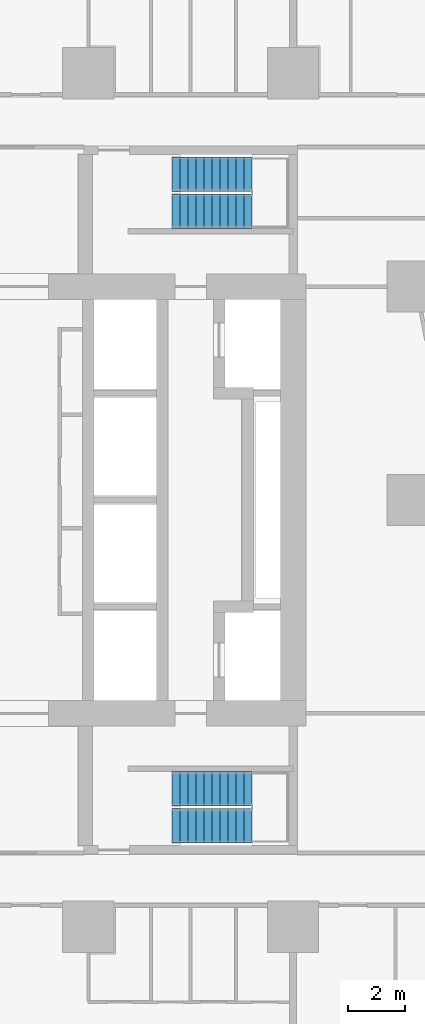
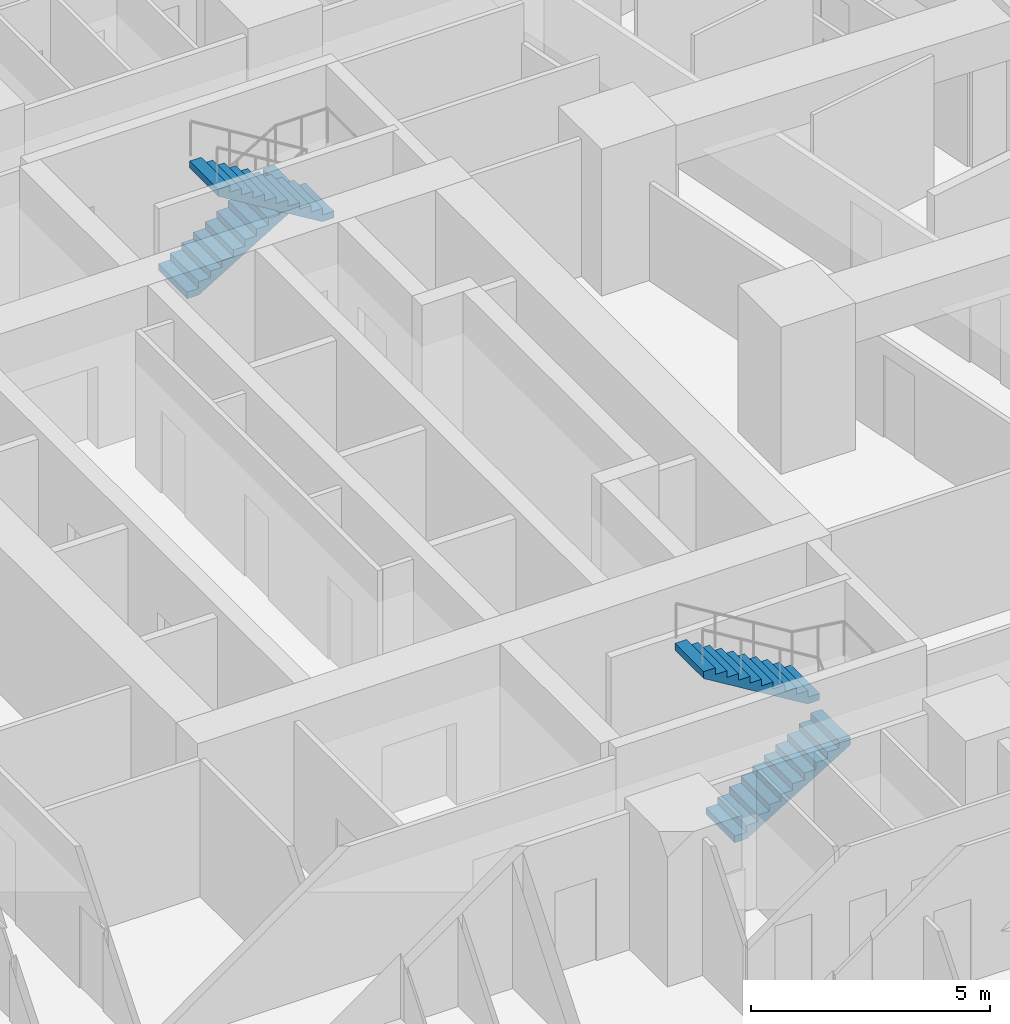
# One storey, part 13 of 16: 4 stair flights, 2 elements without a shape of their own.
"""IFC4 building model written with IfcOpenShell, lengths in metres."""

from ifc_helpers import new_model, si_unit, direction, frame, origin, place, context, subcontext, project, spatial, triangles, material, type_object, element, aggregate, save


model = new_model("IFC4")

# Units and contexts
model_context = context("Model", 3, precision=1e-05, world=origin(), true_north=direction((0.0, 1.0)))
body_context = subcontext(model_context, "Body", "Model", "MODEL_VIEW")
ifc_project = project(units=[si_unit("LENGTHUNIT", "METRE"), si_unit("AREAUNIT", "SQUARE_METRE"), si_unit("VOLUMEUNIT", "CUBIC_METRE"), si_unit("PLANEANGLEUNIT", "RADIAN"), si_unit("MASSUNIT", "GRAM", prefix="KILO")], contexts=[model_context])

# Site, building, storey
site_placement = place(None, origin())
site = spatial("IfcSite", under=ifc_project, at=site_placement, CompositionType="ELEMENT")
building_placement = place(site_placement, origin())
building = spatial("IfcBuilding", under=site, at=building_placement, Name="Sheger Commons Tower", CompositionType="ELEMENT")
storey_placement = place(building_placement, frame((0.0, 0.0, 57.5)))
storey = spatial("IfcBuildingStorey", under=building, at=storey_placement, Name="L14", CompositionType="ELEMENT", Elevation=57.5)

# Stair, stair flights
ifc_material_1 = material(Name="Concrete C35/45", Category="concrete")
stair_type = type_object("IfcStairType", Name="HALF-TURN STAIR 1200 RISE 3750", PredefinedType="HALF_TURN_STAIR", material=ifc_material_1)
stair_1_placement = place(storey_placement, origin())
stair_1 = element("IfcStair", 1, at=stair_1_placement, inside=storey, type_object=stair_type, Name="Stair S1 L14", PredefinedType="HALF_TURN_STAIR")
ifc_material_2 = material(Name="Concrete C35/45", Category="concrete")
stair_flight_type = type_object("IfcStairFlightType", Name="STAIR FLIGHT 1200 11 RISERS OF 170", PredefinedType="STRAIGHT", material=ifc_material_2)
stair_flight_1_placement = place(storey_placement, frame((24.550048828125, 11.050048828125, 0.0), z_axis=(0.0, 0.0, 1.0), x_axis=(1.0, 0.0, 0.0)))
stair_flight_1 = element("IfcStairFlight", 2, at=stair_flight_1_placement, type_object=stair_flight_type, Name="S1 flight 1", NumberOfRisers=11, NumberOfTreads=10, PredefinedType="STRAIGHT", RiserHeight=0.170454545, TreadLength=0.28, context=body_context, shape_type="Tessellation", body=[
    triangles([(0.0, 0.5999755859375, 0.0), (0.0, 0.5999755859375, 0.17041015625), (0.280029296875, 0.5999755859375, 0.17041015625), (0.280029296875, 0.5999755859375, 0.3408203125), (0.56005859375, 0.5999755859375, 0.3408203125), (0.56005859375, 0.5999755859375, 0.511474609375), (0.840087890625, 0.5999755859375, 0.511474609375), (0.840087890625, 0.5999755859375, 0.681884765625), (1.1201171875, 0.5999755859375, 0.681884765625), (1.1201171875, 0.5999755859375, 0.852294921875), (1.39990234375, 0.5999755859375, 0.852294921875), (1.39990234375, 0.5999755859375, 1.022705078125), (1.679931640625, 0.5999755859375, 1.022705078125), (1.679931640625, 0.5999755859375, 1.193115234375), (1.9599609375, 0.5999755859375, 1.193115234375), (1.9599609375, 0.5999755859375, 1.363525390625), (2.239990234375, 0.5999755859375, 1.363525390625), (2.239990234375, 0.5999755859375, 1.5341796875), (2.52001953125, 0.5999755859375, 1.5341796875), (2.52001953125, 0.5999755859375, 1.70458984375), (2.800048828125, 0.5999755859375, 1.70458984375), (2.800048828125, 0.5999755859375, 1.529052734375), (0.288330078125, 0.5999755859375, 0.0), (0.0, -0.5999755859375, 0.0), (0.0, -0.5999755859375, 0.17041015625), (0.280029296875, -0.5999755859375, 0.17041015625), (0.280029296875, -0.5999755859375, 0.3408203125), (0.56005859375, -0.5999755859375, 0.3408203125), (0.56005859375, -0.5999755859375, 0.511474609375), (0.840087890625, -0.5999755859375, 0.511474609375), (0.840087890625, -0.5999755859375, 0.681884765625), (1.1201171875, -0.5999755859375, 0.681884765625), (1.1201171875, -0.5999755859375, 0.852294921875), (1.39990234375, -0.5999755859375, 0.852294921875), (1.39990234375, -0.5999755859375, 1.022705078125), (1.679931640625, -0.5999755859375, 1.022705078125), (1.679931640625, -0.5999755859375, 1.193115234375), (1.9599609375, -0.5999755859375, 1.193115234375), (1.9599609375, -0.5999755859375, 1.363525390625), (2.239990234375, -0.5999755859375, 1.363525390625), (2.239990234375, -0.5999755859375, 1.5341796875), (2.52001953125, -0.5999755859375, 1.5341796875), (2.52001953125, -0.5999755859375, 1.70458984375), (2.800048828125, -0.5999755859375, 1.70458984375), (2.800048828125, -0.5999755859375, 1.529052734375), (0.288330078125, -0.5999755859375, 0.0), (0.0, 0.0, 0.085205078125), (0.1400146484375, 0.0, 0.17041015625), (0.280029296875, 0.0, 0.255615234375), (0.4200439453125, 0.0, 0.3408203125), (0.56005859375, 0.0, 0.4261474609375), (0.7000732421875, 0.0, 0.511474609375), (0.840087890625, 0.0, 0.5966796875), (0.9801025390625, 0.0, 0.681884765625), (1.1201171875, 0.0, 0.76708984375), (1.260009765625, 0.0, 0.852294921875), (1.39990234375, 0.0, 0.9375), (1.5399169921875, 0.0, 1.022705078125), (1.679931640625, 0.0, 1.10791015625), (1.8199462890625, 0.0, 1.193115234375), (1.9599609375, 0.0, 1.2783203125), (2.0999755859375, 0.0, 1.363525390625), (2.239990234375, 0.0, 1.4488525390625), (2.3800048828125, 0.0, 1.5341796875), (2.52001953125, 0.0, 1.619384765625), (2.6600341796875, 0.0, 1.70458984375), (2.800048828125, 0.0, 1.6168212890625), (1.544189453125, 0.0, 0.7645263671875), (0.1441650390625, 0.0, 0.0)], [[1, 22, 23], [24, 46, 45], [22, 20, 21], [45, 44, 43], [22, 19, 20], [45, 43, 42], [22, 18, 19], [45, 42, 41], [22, 17, 18], [45, 41, 40], [17, 15, 16], [40, 39, 38], [22, 15, 17], [45, 40, 38], [15, 13, 14], [38, 37, 36], [22, 13, 15], [45, 38, 36], [13, 11, 12], [36, 35, 34], [22, 11, 13], [45, 36, 34], [11, 9, 10], [34, 33, 32], [22, 9, 11], [45, 34, 32], [9, 7, 8], [32, 31, 30], [22, 7, 9], [45, 32, 30], [7, 5, 6], [30, 29, 28], [22, 5, 7], [45, 30, 28], [5, 3, 4], [28, 27, 26], [22, 3, 5], [45, 28, 26], [1, 3, 22], [24, 45, 26], [3, 1, 2], [26, 25, 24], [1, 47, 2], [2, 47, 25], [25, 47, 24], [24, 47, 1], [2, 48, 3], [3, 48, 26], [26, 48, 25], [25, 48, 2], [3, 49, 4], [4, 49, 27], [27, 49, 26], [26, 49, 3], [4, 50, 5], [5, 50, 28], [28, 50, 27], [27, 50, 4], [5, 51, 6], [6, 51, 29], [29, 51, 28], [28, 51, 5], [6, 52, 7], [7, 52, 30], [30, 52, 29], [29, 52, 6], [7, 53, 8], [8, 53, 31], [31, 53, 30], [30, 53, 7], [8, 54, 9], [9, 54, 32], [32, 54, 31], [31, 54, 8], [9, 55, 10], [10, 55, 33], [33, 55, 32], [32, 55, 9], [10, 56, 11], [11, 56, 34], [34, 56, 33], [33, 56, 10], [11, 57, 12], [12, 57, 35], [35, 57, 34], [34, 57, 11], [12, 58, 13], [13, 58, 36], [36, 58, 35], [35, 58, 12], [13, 59, 14], [14, 59, 37], [37, 59, 36], [36, 59, 13], [14, 60, 15], [15, 60, 38], [38, 60, 37], [37, 60, 14], [15, 61, 16], [16, 61, 39], [39, 61, 38], [38, 61, 15], [16, 62, 17], [17, 62, 40], [40, 62, 39], [39, 62, 16], [17, 63, 18], [18, 63, 41], [41, 63, 40], [40, 63, 17], [18, 64, 19], [19, 64, 42], [42, 64, 41], [41, 64, 18], [19, 65, 20], [20, 65, 43], [43, 65, 42], [42, 65, 19], [20, 66, 21], [21, 66, 44], [44, 66, 43], [43, 66, 20], [21, 67, 22], [22, 67, 45], [45, 67, 44], [44, 67, 21], [22, 68, 23], [23, 68, 46], [46, 68, 45], [45, 68, 22], [23, 69, 1], [1, 69, 24], [24, 69, 46], [46, 69, 23]], closed=True),
])
stair_flight_2_placement = place(storey_placement, frame((27.35009765625, 12.35009765625, 1.875), z_axis=(0.0, 0.0, 1.0), x_axis=(-1.0, 0.0, 0.0)))
stair_flight_2 = element("IfcStairFlight", 3, at=stair_flight_2_placement, type_object=stair_flight_type, Name="S1 flight 2", NumberOfRisers=11, NumberOfTreads=10, PredefinedType="STRAIGHT", RiserHeight=0.170454545, TreadLength=0.28, context=body_context, shape_type="Tessellation", body=[
    triangles([(0.0, 0.5999755859375, 0.0), (0.0, 0.5999755859375, 0.17041015625), (0.280029296875, 0.5999755859375, 0.17041015625), (0.280029296875, 0.5999755859375, 0.3408203125), (0.56005859375, 0.5999755859375, 0.3408203125), (0.56005859375, 0.5999755859375, 0.511474609375), (0.840087890625, 0.5999755859375, 0.511474609375), (0.840087890625, 0.5999755859375, 0.681884765625), (1.1201171875, 0.5999755859375, 0.681884765625), (1.1201171875, 0.5999755859375, 0.852294921875), (1.39990234375, 0.5999755859375, 0.852294921875), (1.39990234375, 0.5999755859375, 1.022705078125), (1.679931640625, 0.5999755859375, 1.022705078125), (1.679931640625, 0.5999755859375, 1.193115234375), (1.9599609375, 0.5999755859375, 1.193115234375), (1.9599609375, 0.5999755859375, 1.363525390625), (2.239990234375, 0.5999755859375, 1.363525390625), (2.239990234375, 0.5999755859375, 1.5341796875), (2.52001953125, 0.5999755859375, 1.5341796875), (2.52001953125, 0.5999755859375, 1.70458984375), (2.800048828125, 0.5999755859375, 1.70458984375), (2.800048828125, 0.5999755859375, 1.529052734375), (0.288330078125, 0.5999755859375, 0.0), (0.0, -0.5999755859375, 0.0), (0.0, -0.5999755859375, 0.17041015625), (0.280029296875, -0.5999755859375, 0.17041015625), (0.280029296875, -0.5999755859375, 0.3408203125), (0.56005859375, -0.5999755859375, 0.3408203125), (0.56005859375, -0.5999755859375, 0.511474609375), (0.840087890625, -0.5999755859375, 0.511474609375), (0.840087890625, -0.5999755859375, 0.681884765625), (1.1201171875, -0.5999755859375, 0.681884765625), (1.1201171875, -0.5999755859375, 0.852294921875), (1.39990234375, -0.5999755859375, 0.852294921875), (1.39990234375, -0.5999755859375, 1.022705078125), (1.679931640625, -0.5999755859375, 1.022705078125), (1.679931640625, -0.5999755859375, 1.193115234375), (1.9599609375, -0.5999755859375, 1.193115234375), (1.9599609375, -0.5999755859375, 1.363525390625), (2.239990234375, -0.5999755859375, 1.363525390625), (2.239990234375, -0.5999755859375, 1.5341796875), (2.52001953125, -0.5999755859375, 1.5341796875), (2.52001953125, -0.5999755859375, 1.70458984375), (2.800048828125, -0.5999755859375, 1.70458984375), (2.800048828125, -0.5999755859375, 1.529052734375), (0.288330078125, -0.5999755859375, 0.0), (0.0, 0.0, 0.085205078125), (0.1400146484375, 0.0, 0.17041015625), (0.280029296875, 0.0, 0.255615234375), (0.4200439453125, 0.0, 0.3408203125), (0.56005859375, 0.0, 0.4261474609375), (0.7000732421875, 0.0, 0.511474609375), (0.840087890625, 0.0, 0.5966796875), (0.9801025390625, 0.0, 0.681884765625), (1.1201171875, 0.0, 0.76708984375), (1.260009765625, 0.0, 0.852294921875), (1.39990234375, 0.0, 0.9375), (1.5399169921875, 0.0, 1.022705078125), (1.679931640625, 0.0, 1.10791015625), (1.8199462890625, 0.0, 1.193115234375), (1.9599609375, 0.0, 1.2783203125), (2.0999755859375, 0.0, 1.363525390625), (2.239990234375, 0.0, 1.4488525390625), (2.3800048828125, 0.0, 1.5341796875), (2.52001953125, 0.0, 1.619384765625), (2.6600341796875, 0.0, 1.70458984375), (2.800048828125, 0.0, 1.6168212890625), (1.544189453125, 0.0, 0.7645263671875), (0.1441650390625, 0.0, 0.0)], [[1, 22, 23], [24, 46, 45], [22, 20, 21], [45, 44, 43], [22, 19, 20], [45, 43, 42], [22, 18, 19], [45, 42, 41], [22, 17, 18], [45, 41, 40], [17, 15, 16], [40, 39, 38], [22, 15, 17], [45, 40, 38], [15, 13, 14], [38, 37, 36], [22, 13, 15], [45, 38, 36], [13, 11, 12], [36, 35, 34], [22, 11, 13], [45, 36, 34], [11, 9, 10], [34, 33, 32], [22, 9, 11], [45, 34, 32], [9, 7, 8], [32, 31, 30], [22, 7, 9], [45, 32, 30], [7, 5, 6], [30, 29, 28], [22, 5, 7], [45, 30, 28], [5, 3, 4], [28, 27, 26], [22, 3, 5], [45, 28, 26], [1, 3, 22], [24, 45, 26], [3, 1, 2], [26, 25, 24], [1, 47, 2], [2, 47, 25], [25, 47, 24], [24, 47, 1], [2, 48, 3], [3, 48, 26], [26, 48, 25], [25, 48, 2], [3, 49, 4], [4, 49, 27], [27, 49, 26], [26, 49, 3], [4, 50, 5], [5, 50, 28], [28, 50, 27], [27, 50, 4], [5, 51, 6], [6, 51, 29], [29, 51, 28], [28, 51, 5], [6, 52, 7], [7, 52, 30], [30, 52, 29], [29, 52, 6], [7, 53, 8], [8, 53, 31], [31, 53, 30], [30, 53, 7], [8, 54, 9], [9, 54, 32], [32, 54, 31], [31, 54, 8], [9, 55, 10], [10, 55, 33], [33, 55, 32], [32, 55, 9], [10, 56, 11], [11, 56, 34], [34, 56, 33], [33, 56, 10], [11, 57, 12], [12, 57, 35], [35, 57, 34], [34, 57, 11], [12, 58, 13], [13, 58, 36], [36, 58, 35], [35, 58, 12], [13, 59, 14], [14, 59, 37], [37, 59, 36], [36, 59, 13], [14, 60, 15], [15, 60, 38], [38, 60, 37], [37, 60, 14], [15, 61, 16], [16, 61, 39], [39, 61, 38], [38, 61, 15], [16, 62, 17], [17, 62, 40], [40, 62, 39], [39, 62, 16], [17, 63, 18], [18, 63, 41], [41, 63, 40], [40, 63, 17], [18, 64, 19], [19, 64, 42], [42, 64, 41], [41, 64, 18], [19, 65, 20], [20, 65, 43], [43, 65, 42], [42, 65, 19], [20, 66, 21], [21, 66, 44], [44, 66, 43], [43, 66, 20], [21, 67, 22], [22, 67, 45], [45, 67, 44], [44, 67, 21], [22, 68, 23], [23, 68, 46], [46, 68, 45], [45, 68, 22], [23, 69, 1], [1, 69, 24], [24, 69, 46], [46, 69, 23]], closed=True),
])
aggregate(stair_1, [stair_flight_1, stair_flight_2])

stair_2_placement = place(storey_placement, origin())
stair_2 = element("IfcStair", 4, at=stair_2_placement, inside=storey, type_object=stair_type, Name="Stair S2 L14", PredefinedType="HALF_TURN_STAIR")
stair_flight_3_placement = place(storey_placement, frame((24.550048828125, 33.949951171875, 0.0), z_axis=(0.0, 0.0, 1.0), x_axis=(1.0, 0.0, 0.0)))
stair_flight_3 = element("IfcStairFlight", 5, at=stair_flight_3_placement, type_object=stair_flight_type, Name="S2 flight 1", NumberOfRisers=11, NumberOfTreads=10, PredefinedType="STRAIGHT", RiserHeight=0.170454545, TreadLength=0.28, context=body_context, shape_type="Tessellation", body=[
    triangles([(0.0, 0.5999755859375, 0.0), (0.0, 0.5999755859375, 0.17041015625), (0.280029296875, 0.5999755859375, 0.17041015625), (0.280029296875, 0.5999755859375, 0.3408203125), (0.56005859375, 0.5999755859375, 0.3408203125), (0.56005859375, 0.5999755859375, 0.511474609375), (0.840087890625, 0.5999755859375, 0.511474609375), (0.840087890625, 0.5999755859375, 0.681884765625), (1.1201171875, 0.5999755859375, 0.681884765625), (1.1201171875, 0.5999755859375, 0.852294921875), (1.39990234375, 0.5999755859375, 0.852294921875), (1.39990234375, 0.5999755859375, 1.022705078125), (1.679931640625, 0.5999755859375, 1.022705078125), (1.679931640625, 0.5999755859375, 1.193115234375), (1.9599609375, 0.5999755859375, 1.193115234375), (1.9599609375, 0.5999755859375, 1.363525390625), (2.239990234375, 0.5999755859375, 1.363525390625), (2.239990234375, 0.5999755859375, 1.5341796875), (2.52001953125, 0.5999755859375, 1.5341796875), (2.52001953125, 0.5999755859375, 1.70458984375), (2.800048828125, 0.5999755859375, 1.70458984375), (2.800048828125, 0.5999755859375, 1.529052734375), (0.288330078125, 0.5999755859375, 0.0), (0.0, -0.5999755859375, 0.0), (0.0, -0.5999755859375, 0.17041015625), (0.280029296875, -0.5999755859375, 0.17041015625), (0.280029296875, -0.5999755859375, 0.3408203125), (0.56005859375, -0.5999755859375, 0.3408203125), (0.56005859375, -0.5999755859375, 0.511474609375), (0.840087890625, -0.5999755859375, 0.511474609375), (0.840087890625, -0.5999755859375, 0.681884765625), (1.1201171875, -0.5999755859375, 0.681884765625), (1.1201171875, -0.5999755859375, 0.852294921875), (1.39990234375, -0.5999755859375, 0.852294921875), (1.39990234375, -0.5999755859375, 1.022705078125), (1.679931640625, -0.5999755859375, 1.022705078125), (1.679931640625, -0.5999755859375, 1.193115234375), (1.9599609375, -0.5999755859375, 1.193115234375), (1.9599609375, -0.5999755859375, 1.363525390625), (2.239990234375, -0.5999755859375, 1.363525390625), (2.239990234375, -0.5999755859375, 1.5341796875), (2.52001953125, -0.5999755859375, 1.5341796875), (2.52001953125, -0.5999755859375, 1.70458984375), (2.800048828125, -0.5999755859375, 1.70458984375), (2.800048828125, -0.5999755859375, 1.529052734375), (0.288330078125, -0.5999755859375, 0.0), (0.0, 0.0, 0.085205078125), (0.1400146484375, 0.0, 0.17041015625), (0.280029296875, 0.0, 0.255615234375), (0.4200439453125, 0.0, 0.3408203125), (0.56005859375, 0.0, 0.4261474609375), (0.7000732421875, 0.0, 0.511474609375), (0.840087890625, 0.0, 0.5966796875), (0.9801025390625, 0.0, 0.681884765625), (1.1201171875, 0.0, 0.76708984375), (1.260009765625, 0.0, 0.852294921875), (1.39990234375, 0.0, 0.9375), (1.5399169921875, 0.0, 1.022705078125), (1.679931640625, 0.0, 1.10791015625), (1.8199462890625, 0.0, 1.193115234375), (1.9599609375, 0.0, 1.2783203125), (2.0999755859375, 0.0, 1.363525390625), (2.239990234375, 0.0, 1.4488525390625), (2.3800048828125, 0.0, 1.5341796875), (2.52001953125, 0.0, 1.619384765625), (2.6600341796875, 0.0, 1.70458984375), (2.800048828125, 0.0, 1.6168212890625), (1.544189453125, 0.0, 0.7645263671875), (0.1441650390625, 0.0, 0.0)], [[1, 22, 23], [24, 46, 45], [22, 20, 21], [45, 44, 43], [22, 19, 20], [45, 43, 42], [22, 18, 19], [45, 42, 41], [22, 17, 18], [45, 41, 40], [17, 15, 16], [40, 39, 38], [22, 15, 17], [45, 40, 38], [15, 13, 14], [38, 37, 36], [22, 13, 15], [45, 38, 36], [13, 11, 12], [36, 35, 34], [22, 11, 13], [45, 36, 34], [11, 9, 10], [34, 33, 32], [22, 9, 11], [45, 34, 32], [9, 7, 8], [32, 31, 30], [22, 7, 9], [45, 32, 30], [7, 5, 6], [30, 29, 28], [22, 5, 7], [45, 30, 28], [5, 3, 4], [28, 27, 26], [22, 3, 5], [45, 28, 26], [1, 3, 22], [24, 45, 26], [3, 1, 2], [26, 25, 24], [1, 47, 2], [2, 47, 25], [25, 47, 24], [24, 47, 1], [2, 48, 3], [3, 48, 26], [26, 48, 25], [25, 48, 2], [3, 49, 4], [4, 49, 27], [27, 49, 26], [26, 49, 3], [4, 50, 5], [5, 50, 28], [28, 50, 27], [27, 50, 4], [5, 51, 6], [6, 51, 29], [29, 51, 28], [28, 51, 5], [6, 52, 7], [7, 52, 30], [30, 52, 29], [29, 52, 6], [7, 53, 8], [8, 53, 31], [31, 53, 30], [30, 53, 7], [8, 54, 9], [9, 54, 32], [32, 54, 31], [31, 54, 8], [9, 55, 10], [10, 55, 33], [33, 55, 32], [32, 55, 9], [10, 56, 11], [11, 56, 34], [34, 56, 33], [33, 56, 10], [11, 57, 12], [12, 57, 35], [35, 57, 34], [34, 57, 11], [12, 58, 13], [13, 58, 36], [36, 58, 35], [35, 58, 12], [13, 59, 14], [14, 59, 37], [37, 59, 36], [36, 59, 13], [14, 60, 15], [15, 60, 38], [38, 60, 37], [37, 60, 14], [15, 61, 16], [16, 61, 39], [39, 61, 38], [38, 61, 15], [16, 62, 17], [17, 62, 40], [40, 62, 39], [39, 62, 16], [17, 63, 18], [18, 63, 41], [41, 63, 40], [40, 63, 17], [18, 64, 19], [19, 64, 42], [42, 64, 41], [41, 64, 18], [19, 65, 20], [20, 65, 43], [43, 65, 42], [42, 65, 19], [20, 66, 21], [21, 66, 44], [44, 66, 43], [43, 66, 20], [21, 67, 22], [22, 67, 45], [45, 67, 44], [44, 67, 21], [22, 68, 23], [23, 68, 46], [46, 68, 45], [45, 68, 22], [23, 69, 1], [1, 69, 24], [24, 69, 46], [46, 69, 23]], closed=True),
])
stair_flight_4_placement = place(storey_placement, frame((27.35009765625, 32.64990234375, 1.875), z_axis=(0.0, 0.0, 1.0), x_axis=(-1.0, 0.0, 0.0)))
stair_flight_4 = element("IfcStairFlight", 6, at=stair_flight_4_placement, type_object=stair_flight_type, Name="S2 flight 2", NumberOfRisers=11, NumberOfTreads=10, PredefinedType="STRAIGHT", RiserHeight=0.170454545, TreadLength=0.28, context=body_context, shape_type="Tessellation", body=[
    triangles([(0.0, 0.5999755859375, 0.0), (0.0, 0.5999755859375, 0.17041015625), (0.280029296875, 0.5999755859375, 0.17041015625), (0.280029296875, 0.5999755859375, 0.3408203125), (0.56005859375, 0.5999755859375, 0.3408203125), (0.56005859375, 0.5999755859375, 0.511474609375), (0.840087890625, 0.5999755859375, 0.511474609375), (0.840087890625, 0.5999755859375, 0.681884765625), (1.1201171875, 0.5999755859375, 0.681884765625), (1.1201171875, 0.5999755859375, 0.852294921875), (1.39990234375, 0.5999755859375, 0.852294921875), (1.39990234375, 0.5999755859375, 1.022705078125), (1.679931640625, 0.5999755859375, 1.022705078125), (1.679931640625, 0.5999755859375, 1.193115234375), (1.9599609375, 0.5999755859375, 1.193115234375), (1.9599609375, 0.5999755859375, 1.363525390625), (2.239990234375, 0.5999755859375, 1.363525390625), (2.239990234375, 0.5999755859375, 1.5341796875), (2.52001953125, 0.5999755859375, 1.5341796875), (2.52001953125, 0.5999755859375, 1.70458984375), (2.800048828125, 0.5999755859375, 1.70458984375), (2.800048828125, 0.5999755859375, 1.529052734375), (0.288330078125, 0.5999755859375, 0.0), (0.0, -0.5999755859375, 0.0), (0.0, -0.5999755859375, 0.17041015625), (0.280029296875, -0.5999755859375, 0.17041015625), (0.280029296875, -0.5999755859375, 0.3408203125), (0.56005859375, -0.5999755859375, 0.3408203125), (0.56005859375, -0.5999755859375, 0.511474609375), (0.840087890625, -0.5999755859375, 0.511474609375), (0.840087890625, -0.5999755859375, 0.681884765625), (1.1201171875, -0.5999755859375, 0.681884765625), (1.1201171875, -0.5999755859375, 0.852294921875), (1.39990234375, -0.5999755859375, 0.852294921875), (1.39990234375, -0.5999755859375, 1.022705078125), (1.679931640625, -0.5999755859375, 1.022705078125), (1.679931640625, -0.5999755859375, 1.193115234375), (1.9599609375, -0.5999755859375, 1.193115234375), (1.9599609375, -0.5999755859375, 1.363525390625), (2.239990234375, -0.5999755859375, 1.363525390625), (2.239990234375, -0.5999755859375, 1.5341796875), (2.52001953125, -0.5999755859375, 1.5341796875), (2.52001953125, -0.5999755859375, 1.70458984375), (2.800048828125, -0.5999755859375, 1.70458984375), (2.800048828125, -0.5999755859375, 1.529052734375), (0.288330078125, -0.5999755859375, 0.0), (0.0, 0.0, 0.085205078125), (0.1400146484375, 0.0, 0.17041015625), (0.280029296875, 0.0, 0.255615234375), (0.4200439453125, 0.0, 0.3408203125), (0.56005859375, 0.0, 0.4261474609375), (0.7000732421875, 0.0, 0.511474609375), (0.840087890625, 0.0, 0.5966796875), (0.9801025390625, 0.0, 0.681884765625), (1.1201171875, 0.0, 0.76708984375), (1.260009765625, 0.0, 0.852294921875), (1.39990234375, 0.0, 0.9375), (1.5399169921875, 0.0, 1.022705078125), (1.679931640625, 0.0, 1.10791015625), (1.8199462890625, 0.0, 1.193115234375), (1.9599609375, 0.0, 1.2783203125), (2.0999755859375, 0.0, 1.363525390625), (2.239990234375, 0.0, 1.4488525390625), (2.3800048828125, 0.0, 1.5341796875), (2.52001953125, 0.0, 1.619384765625), (2.6600341796875, 0.0, 1.70458984375), (2.800048828125, 0.0, 1.6168212890625), (1.544189453125, 0.0, 0.7645263671875), (0.1441650390625, 0.0, 0.0)], [[1, 22, 23], [24, 46, 45], [22, 20, 21], [45, 44, 43], [22, 19, 20], [45, 43, 42], [22, 18, 19], [45, 42, 41], [22, 17, 18], [45, 41, 40], [17, 15, 16], [40, 39, 38], [22, 15, 17], [45, 40, 38], [15, 13, 14], [38, 37, 36], [22, 13, 15], [45, 38, 36], [13, 11, 12], [36, 35, 34], [22, 11, 13], [45, 36, 34], [11, 9, 10], [34, 33, 32], [22, 9, 11], [45, 34, 32], [9, 7, 8], [32, 31, 30], [22, 7, 9], [45, 32, 30], [7, 5, 6], [30, 29, 28], [22, 5, 7], [45, 30, 28], [5, 3, 4], [28, 27, 26], [22, 3, 5], [45, 28, 26], [1, 3, 22], [24, 45, 26], [3, 1, 2], [26, 25, 24], [1, 47, 2], [2, 47, 25], [25, 47, 24], [24, 47, 1], [2, 48, 3], [3, 48, 26], [26, 48, 25], [25, 48, 2], [3, 49, 4], [4, 49, 27], [27, 49, 26], [26, 49, 3], [4, 50, 5], [5, 50, 28], [28, 50, 27], [27, 50, 4], [5, 51, 6], [6, 51, 29], [29, 51, 28], [28, 51, 5], [6, 52, 7], [7, 52, 30], [30, 52, 29], [29, 52, 6], [7, 53, 8], [8, 53, 31], [31, 53, 30], [30, 53, 7], [8, 54, 9], [9, 54, 32], [32, 54, 31], [31, 54, 8], [9, 55, 10], [10, 55, 33], [33, 55, 32], [32, 55, 9], [10, 56, 11], [11, 56, 34], [34, 56, 33], [33, 56, 10], [11, 57, 12], [12, 57, 35], [35, 57, 34], [34, 57, 11], [12, 58, 13], [13, 58, 36], [36, 58, 35], [35, 58, 12], [13, 59, 14], [14, 59, 37], [37, 59, 36], [36, 59, 13], [14, 60, 15], [15, 60, 38], [38, 60, 37], [37, 60, 14], [15, 61, 16], [16, 61, 39], [39, 61, 38], [38, 61, 15], [16, 62, 17], [17, 62, 40], [40, 62, 39], [39, 62, 16], [17, 63, 18], [18, 63, 41], [41, 63, 40], [40, 63, 17], [18, 64, 19], [19, 64, 42], [42, 64, 41], [41, 64, 18], [19, 65, 20], [20, 65, 43], [43, 65, 42], [42, 65, 19], [20, 66, 21], [21, 66, 44], [44, 66, 43], [43, 66, 20], [21, 67, 22], [22, 67, 45], [45, 67, 44], [44, 67, 21], [22, 68, 23], [23, 68, 46], [46, 68, 45], [45, 68, 22], [23, 69, 1], [1, 69, 24], [24, 69, 46], [46, 69, 23]], closed=True),
])
aggregate(stair_2, [stair_flight_3, stair_flight_4])

save(model, "model.ifc")
